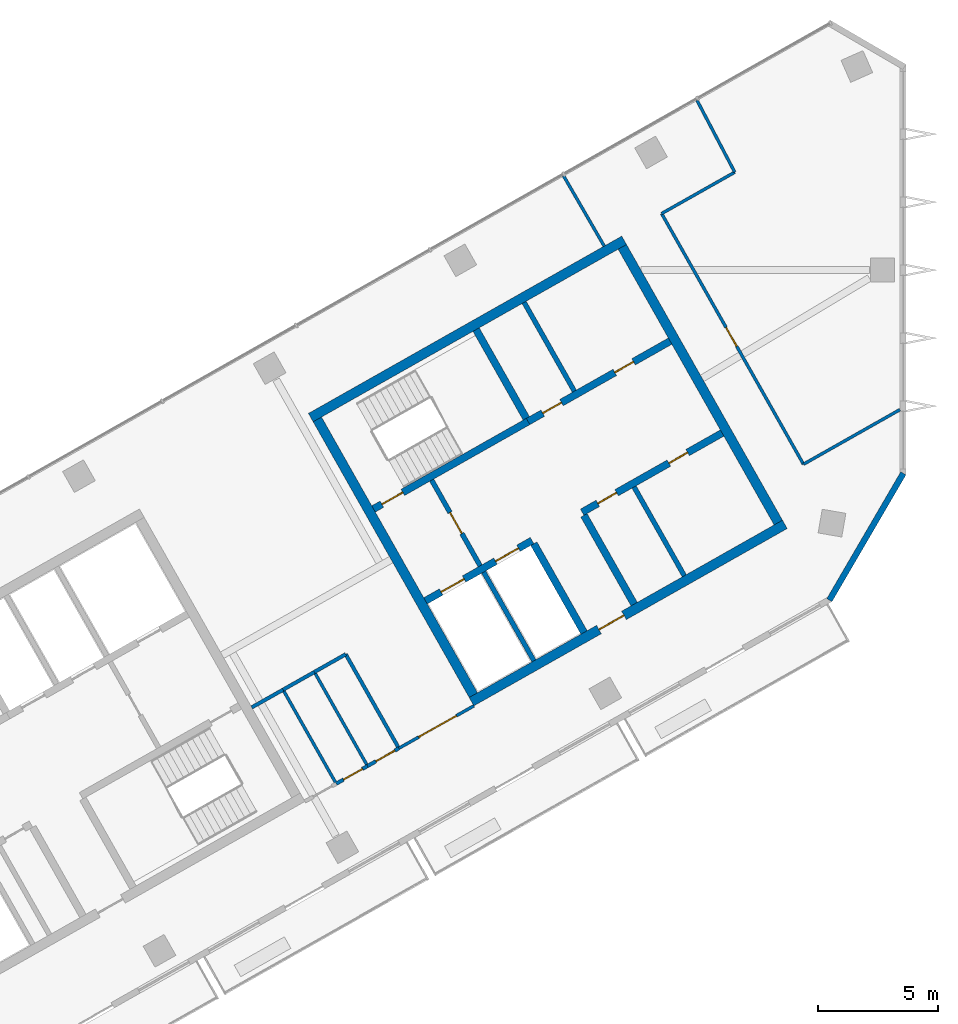
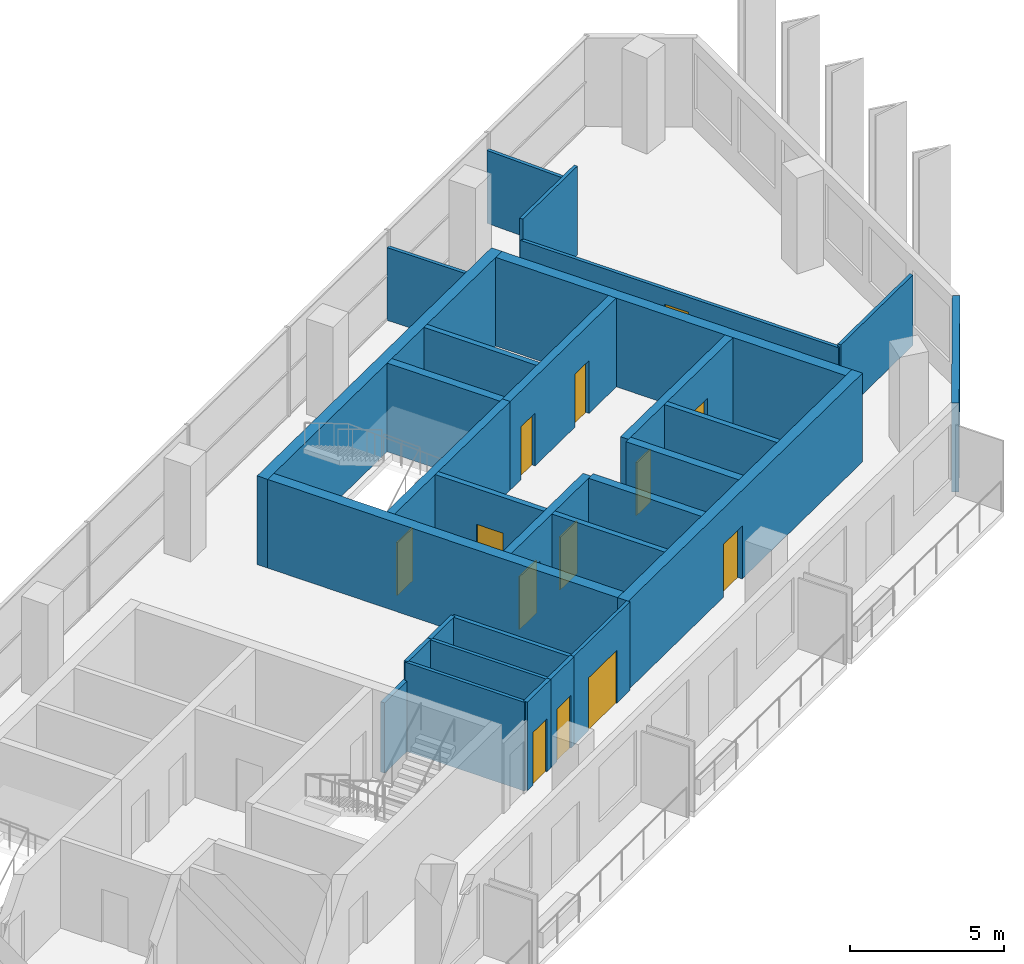
# One storey, part 7 of 10: 30 walls, 13 doors, 13 openings.
"""IFC4 building model written with IfcOpenShell, lengths in metres."""

from ifc_helpers import new_model, si_unit, direction, frame, frame_2d, origin, place, context, subcontext, project, spatial, rectangle, extrude, material, layer, layer_set, type_object, element, fill, save


model = new_model("IFC4")

# Units and contexts
model_context = context("Model", 3, precision=1e-05, world=origin(), true_north=direction((0.0, 1.0)))
body_context = subcontext(model_context, "Body", "Model", "MODEL_VIEW")
ifc_project = project(units=[si_unit("LENGTHUNIT", "METRE"), si_unit("AREAUNIT", "SQUARE_METRE"), si_unit("VOLUMEUNIT", "CUBIC_METRE"), si_unit("PLANEANGLEUNIT", "RADIAN"), si_unit("MASSUNIT", "GRAM", prefix="KILO")], contexts=[model_context])

# Site, building, storey
site_placement = place(None, origin())
site = spatial("IfcSite", under=ifc_project, at=site_placement, CompositionType="ELEMENT")
building_placement = place(site_placement, origin())
building = spatial("IfcBuilding", under=site, at=building_placement, Name="Binnacle Exchange Tower", CompositionType="ELEMENT")
storey_placement = place(building_placement, frame((0.0, 0.0, 316.5)))
storey = spatial("IfcBuildingStorey", under=building, at=storey_placement, Name="L71", CompositionType="ELEMENT", Elevation=316.5)

# Walls
ifc_material_1 = material(Name="Gypsum partition fire rated")
ifc_layer_1 = layer(ifc_material_1, 0.199951171875)
ifc_layer_set_1 = layer_set([ifc_layer_1], Name="Core partition 200")
wall_type_1 = type_object("IfcWallType", Name="Core partition 200", PredefinedType="PARTITIONING", material=ifc_layer_set_1)
for number, where, z_axis, x_axis, name in (
    (1, (-15.783203125, 58.653564453125, 0.0), (0.0, 0.0, 1.0), (0.492441437811, -0.870345580977, 0.0), "Core wall CRWC17"),
    (2, (-11.201904296875, 50.96240234375, 0.0), (0.0, 0.0, 1.0), (0.492441437811, -0.870345580977, 0.0), "Core wall CRWC19"),
):
    element("IfcWall", number, at=place(storey_placement, frame(where, z_axis=z_axis, x_axis=x_axis)), inside=storey, type_object=wall_type_1, Name=name, PredefinedType="PARTITIONING", context=body_context, shape_type="SweptSolid", body=[
        extrude(rectangle(XDim=4.250244140625, YDim=0.199951171875, at=frame_2d((2.125, 0.0))), origin(), (0.0, 0.0, 1.0), 3.52001953125),
    ])

# Wall, openings, doors
ifc_material_2 = material(Name="Concrete C70/85", Category="concrete")
ifc_layer_2 = layer(ifc_material_2, 0.300048828125)
ifc_layer_set_2 = layer_set([ifc_layer_2], Name="Core wall - front 300")
wall_type_2 = type_object("IfcWallType", Name="Core wall - front 300", PredefinedType="SOLIDWALL", material=ifc_layer_set_2)
wall_1_placement = place(storey_placement, frame((-19.89208984375, 46.2177734375, 0.0), z_axis=(0.0, 0.0, 1.0), x_axis=(0.870341639186, 0.492448404505, 0.0)))
wall_1 = element("IfcWall", 3, at=wall_1_placement, inside=storey, type_object=wall_type_2, Name="Core wall CRWC2", PredefinedType="SOLIDWALL", context=body_context, shape_type="SweptSolid", body=[
    extrude(rectangle(XDim=5.099853515625, YDim=0.300048828125, at=frame_2d((2.5498046875, 0.0))), origin(), (0.0, 0.0, 1.0), 3.52001953125),
])
opening_1_placement = place(wall_1_placement, frame((0.75, 0.0, 0.0)))
opening_1 = element("IfcOpeningElement", 4, at=opening_1_placement, cuts=wall_1, Name="Opening LD14", PredefinedType="OPENING", context=body_context, shape_type="SweptSolid", body=[
    extrude(rectangle(XDim=1.10009765625, YDim=2.10009765625, at=frame_2d((0.550048828125, 1.050048828125))), frame((0.0, 0.159912109375, 0.0), z_axis=(0.0, -1.0, 0.0), x_axis=(1.0, 0.0, 0.0)), (0.0, 0.0, 1.0), 0.320068359375),
])
opening_2_placement = place(wall_1_placement, frame((3.35009765625, 0.0, 0.0)))
opening_2 = element("IfcOpeningElement", 5, at=opening_2_placement, cuts=wall_1, Name="Opening LD11", PredefinedType="OPENING", context=body_context, shape_type="SweptSolid", body=[
    extrude(rectangle(XDim=1.10009765625, YDim=2.10009765625, at=frame_2d((0.550048828125, 1.050048828125))), frame((0.0, 0.159912109375, 0.0), z_axis=(0.0, -1.0, 0.0), x_axis=(1.0, 0.0, 0.0)), (0.0, 0.0, 1.0), 0.320068359375),
])
ifc_material_3 = material(Name="Steel door leaf", Category="steel")
door_type_1 = type_object("IfcDoorType", Name="Fire door - lift landing 1100", OperationType="NOTDEFINED", PredefinedType="DOOR", material=ifc_material_3)
door_1_placement = place(opening_1_placement, origin())
door_1 = element("IfcDoor", 6, at=door_1_placement, inside=storey, type_object=door_type_1, Name="Landing door LD14 L71", OperationType="DOUBLE_DOOR_SLIDING", OverallHeight=2.10009765625, OverallWidth=1.10009765625, PredefinedType="DOOR", context=body_context, shape_type="SweptSolid", body=[
    extrude(rectangle(XDim=1.10009765625, YDim=2.10009765625, at=frame_2d((0.550048828125, 1.050048828125))), frame((0.0, 0.02490234375, 0.0), z_axis=(0.0, -1.0, 0.0), x_axis=(1.0, 0.0, 0.0)), (0.0, 0.0, 1.0), 0.050048828125),
])
fill(opening_1, door_1)
door_2_placement = place(opening_2_placement, origin())
door_2 = element("IfcDoor", 7, at=door_2_placement, inside=storey, type_object=door_type_1, Name="Landing door LD11 L71", OperationType="DOUBLE_DOOR_SLIDING", OverallHeight=2.10009765625, OverallWidth=1.10009765625, PredefinedType="DOOR", context=body_context, shape_type="SweptSolid", body=[
    extrude(rectangle(XDim=1.10009765625, YDim=2.10009765625, at=frame_2d((0.550048828125, 1.050048828125))), frame((0.0, 0.02490234375, 0.0), z_axis=(0.0, -1.0, 0.0), x_axis=(1.0, 0.0, 0.0)), (0.0, 0.0, 1.0), 0.050048828125),
])
fill(opening_2, door_2)

wall_2_placement = place(storey_placement, frame((-13.364501953125, 49.910888671875, 0.0), z_axis=(0.0, 0.0, 1.0), x_axis=(0.870347618718, 0.492437836272, 0.0)))
wall_2 = element("IfcWall", 8, at=wall_2_placement, inside=storey, type_object=wall_type_2, Name="Core wall CRWC3", PredefinedType="SOLIDWALL", context=body_context, shape_type="SweptSolid", body=[
    extrude(rectangle(XDim=6.699951171875, YDim=0.300048828125, at=frame_2d((3.35009765625, 0.0))), origin(), (0.0, 0.0, 1.0), 3.52001953125),
])
opening_3_placement = place(wall_2_placement, frame((0.75, 0.0, 0.0)))
opening_3 = element("IfcOpeningElement", 9, at=opening_3_placement, cuts=wall_2, Name="Opening DC18", PredefinedType="OPENING", context=body_context, shape_type="SweptSolid", body=[
    extrude(rectangle(XDim=0.89990234375, YDim=2.10009765625, at=frame_2d((0.449951171875, 1.050048828125))), frame((0.0, 0.159912109375, 0.0), z_axis=(0.0, -1.0, 0.0), x_axis=(1.0, 0.0, 0.0)), (0.0, 0.0, 1.0), 0.320068359375),
])
opening_4_placement = place(wall_2_placement, frame((4.14990234375, 0.0, 0.0)))
opening_4 = element("IfcOpeningElement", 10, at=opening_4_placement, cuts=wall_2, Name="Opening DC19", PredefinedType="OPENING", context=body_context, shape_type="SweptSolid", body=[
    extrude(rectangle(XDim=0.89990234375, YDim=2.10009765625, at=frame_2d((0.449951171875, 1.050048828125))), frame((0.0, 0.159912109375, 0.0), z_axis=(0.0, -1.0, 0.0), x_axis=(1.0, 0.0, 0.0)), (0.0, 0.0, 1.0), 0.320068359375),
])
door_type_2 = type_object("IfcDoorType", Name="Fire door 900", OperationType="NOTDEFINED", PredefinedType="DOOR", material=ifc_material_3)
door_3_placement = place(opening_3_placement, frame((0.89990234375, 0.0, 0.0), z_axis=(0.0, 0.0, 1.0), x_axis=(-1.0, 0.0, 0.0)))
door_3 = element("IfcDoor", 11, at=door_3_placement, inside=storey, type_object=door_type_2, Name="Core room door IT STORE", OperationType="SINGLE_SWING_RIGHT", OverallHeight=2.10009765625, OverallWidth=0.89990234375, PredefinedType="DOOR", context=body_context, shape_type="SweptSolid", body=[
    extrude(rectangle(XDim=0.89990234375, YDim=2.10009765625, at=frame_2d((0.449951171875, 1.050048828125))), frame((0.0, 0.02490234375, 0.0), z_axis=(0.0, -1.0, 0.0), x_axis=(1.0, 0.0, 0.0)), (0.0, 0.0, 1.0), 0.050048828125),
])
fill(opening_3, door_3)
door_4_placement = place(opening_4_placement, frame((0.89990234375, 0.0, 0.0), z_axis=(0.0, 0.0, 1.0), x_axis=(-1.0, 0.0, 0.0)))
door_4 = element("IfcDoor", 12, at=door_4_placement, inside=storey, type_object=door_type_2, Name="Core room door TELECOM RISER ROOM", OperationType="SINGLE_SWING_LEFT", OverallHeight=2.10009765625, OverallWidth=0.89990234375, PredefinedType="DOOR", context=body_context, shape_type="SweptSolid", body=[
    extrude(rectangle(XDim=0.89990234375, YDim=2.10009765625, at=frame_2d((0.449951171875, 1.050048828125))), frame((0.0, 0.02490234375, 0.0), z_axis=(0.0, -1.0, 0.0), x_axis=(1.0, 0.0, 0.0)), (0.0, 0.0, 1.0), 0.050048828125),
])
fill(opening_4, door_4)

wall_3_placement = place(storey_placement, frame((-15.6181640625, 53.69140625, 0.0), z_axis=(0.0, 0.0, 1.0), x_axis=(0.870362830851, 0.492410948978, 0.0)))
wall_3 = element("IfcWall", 13, at=wall_3_placement, inside=storey, type_object=wall_type_2, Name="Core wall CRWC5", PredefinedType="SOLIDWALL", context=body_context, shape_type="SweptSolid", body=[
    extrude(rectangle(XDim=6.800048828125, YDim=0.300048828125, at=frame_2d((3.39990234375, 0.0))), origin(), (0.0, 0.0, 1.0), 3.52001953125),
])
opening_5_placement = place(wall_3_placement, frame((0.699951171875, 0.0, 0.0)))
opening_5 = element("IfcOpeningElement", 14, at=opening_5_placement, cuts=wall_3, Name="Opening DC10", PredefinedType="OPENING", context=body_context, shape_type="SweptSolid", body=[
    extrude(rectangle(XDim=0.89990234375, YDim=2.10009765625, at=frame_2d((0.449951171875, 1.050048828125))), frame((0.0, 0.159912109375, 0.0), z_axis=(0.0, -1.0, 0.0), x_axis=(1.0, 0.0, 0.0)), (0.0, 0.0, 1.0), 0.320068359375),
])
opening_6_placement = place(wall_3_placement, frame((4.14990234375, 0.0, 0.0)))
opening_6 = element("IfcOpeningElement", 15, at=opening_6_placement, cuts=wall_3, Name="Opening DC11", PredefinedType="OPENING", context=body_context, shape_type="SweptSolid", body=[
    extrude(rectangle(XDim=0.89990234375, YDim=2.10009765625, at=frame_2d((0.449951171875, 1.050048828125))), frame((0.0, 0.159912109375, 0.0), z_axis=(0.0, -1.0, 0.0), x_axis=(1.0, 0.0, 0.0)), (0.0, 0.0, 1.0), 0.320068359375),
])
door_5_placement = place(opening_5_placement, origin())
door_5 = element("IfcDoor", 16, at=door_5_placement, inside=storey, type_object=door_type_2, Name="Core room door COMMS RISER ROOM", OperationType="SINGLE_SWING_LEFT", OverallHeight=2.10009765625, OverallWidth=0.89990234375, PredefinedType="DOOR", context=body_context, shape_type="SweptSolid", body=[
    extrude(rectangle(XDim=0.89990234375, YDim=2.10009765625, at=frame_2d((0.449951171875, 1.050048828125))), frame((0.0, 0.02490234375, 0.0), z_axis=(0.0, -1.0, 0.0), x_axis=(1.0, 0.0, 0.0)), (0.0, 0.0, 1.0), 0.050048828125),
])
fill(opening_5, door_5)
door_6_placement = place(opening_6_placement, origin())
door_6 = element("IfcDoor", 17, at=door_6_placement, inside=storey, type_object=door_type_2, Name="Core room door PANTRY", OperationType="SINGLE_SWING_RIGHT", OverallHeight=2.10009765625, OverallWidth=0.89990234375, PredefinedType="DOOR", context=body_context, shape_type="SweptSolid", body=[
    extrude(rectangle(XDim=0.89990234375, YDim=2.10009765625, at=frame_2d((0.449951171875, 1.050048828125))), frame((0.0, 0.02490234375, 0.0), z_axis=(0.0, -1.0, 0.0), x_axis=(1.0, 0.0, 0.0)), (0.0, 0.0, 1.0), 0.050048828125),
])
fill(opening_6, door_6)

# Walls
wall_4_placement = place(storey_placement, frame((-15.37939453125, 48.5986328125, 0.0), z_axis=(0.0, 0.0, 1.0), x_axis=(0.492422543467, -0.870356271124, 0.0)))
element("IfcWall", 18, at=wall_4_placement, inside=storey, type_object=wall_type_2, Name="Core wall CRWC13", PredefinedType="SOLIDWALL", context=body_context, shape_type="SweptSolid", body=[
    extrude(rectangle(XDim=4.25, YDim=0.300048828125, at=frame_2d((2.125, 0.0))), origin(), (0.0, 0.0, 1.0), 3.52001953125),
])
wall_5_placement = place(storey_placement, frame((-13.29052734375, 49.780517578125, 0.0), z_axis=(0.0, 0.0, 1.0), x_axis=(0.492397924348, -0.870370199454, 0.0)))
element("IfcWall", 19, at=wall_5_placement, inside=storey, type_object=wall_type_2, Name="Core wall CRWC15", PredefinedType="SOLIDWALL", context=body_context, shape_type="SweptSolid", body=[
    extrude(rectangle(XDim=4.250244140625, YDim=0.300048828125, at=frame_2d((2.125, 0.0))), origin(), (0.0, 0.0, 1.0), 3.52001953125),
])

# Wall, opening, door
ifc_layer_3 = layer(ifc_material_2, 0.39990234375)
ifc_layer_set_3 = layer_set([ifc_layer_3], Name="Core wall - outer 400")
wall_type_3 = type_object("IfcWallType", Name="Core wall - outer 400", PredefinedType="SOLIDWALL", material=ifc_layer_set_3)
wall_6_placement = place(storey_placement, frame((-17.97509765625, 42.01708984375, 0.0), z_axis=(0.0, 0.0, 1.0), x_axis=(0.87034965173, 0.492434243055, 0.0)))
wall_6 = element("IfcWall", 20, at=wall_6_placement, inside=storey, type_object=wall_type_3, Name="Core wall CRWC1", PredefinedType="SOLIDWALL", context=body_context, shape_type="SweptSolid", body=[
    extrude(rectangle(XDim=15.0, YDim=0.39990234375, at=frame_2d((7.5, 0.0))), origin(), (0.0, 0.0, 1.0), 3.52001953125),
])
opening_7_placement = place(wall_6_placement, frame((6.10009765625, 0.0, 0.0)))
opening_7 = element("IfcOpeningElement", 21, at=opening_7_placement, cuts=wall_6, Name="Opening DC7", PredefinedType="OPENING", context=body_context, shape_type="SweptSolid", body=[
    extrude(rectangle(XDim=1.199951171875, YDim=2.10009765625, at=frame_2d((0.60009765625, 1.050048828125))), frame((0.0, 0.2099609375, 0.0), z_axis=(0.0, -1.0, 0.0), x_axis=(1.0, 0.0, 0.0)), (0.0, 0.0, 1.0), 0.419921875),
])
door_type_3 = type_object("IfcDoorType", Name="Fire door 1200", OperationType="NOTDEFINED", PredefinedType="DOOR", material=ifc_material_3)
door_7_placement = place(opening_7_placement, frame((1.199951171875, 0.0, 0.0), z_axis=(0.0, 0.0, 1.0), x_axis=(-1.0, 0.0, 0.0)))
door_7 = element("IfcDoor", 22, at=door_7_placement, inside=storey, type_object=door_type_3, Name="Lift lobby entrance door core C", OperationType="SINGLE_SWING_RIGHT", OverallHeight=2.10009765625, OverallWidth=1.199951171875, PredefinedType="DOOR", context=body_context, shape_type="SweptSolid", body=[
    extrude(rectangle(XDim=1.199951171875, YDim=2.10009765625, at=frame_2d((0.60009765625, 1.050048828125))), frame((0.0, 0.02490234375, 0.0), z_axis=(0.0, -1.0, 0.0), x_axis=(1.0, 0.0, 0.0)), (0.0, 0.0, 1.0), 0.050048828125),
])
fill(opening_7, door_7)

# Walls
wall_7_placement = place(storey_placement, frame((-24.672119140625, 53.85400390625, 0.0), z_axis=(0.0, 0.0, 1.0), x_axis=(0.870353598469, 0.492427267353, 0.0)))
element("IfcWall", 23, at=wall_7_placement, inside=storey, type_object=wall_type_3, Name="Core wall CRWC6", PredefinedType="SOLIDWALL", context=body_context, shape_type="SweptSolid", body=[
    extrude(rectangle(XDim=15.000244140625, YDim=0.39990234375, at=frame_2d((7.5, 0.0))), origin(), (0.0, 0.0, 1.0), 3.52001953125),
])
for number, where, z_axis, x_axis, name in (
    (24, (-24.399658203125, 53.778564453125, 0.0), (0.0, 0.0, 1.0), (0.492421663121, -0.870356769198, 0.0), "Core wall CRWC7"),
    (25, (-11.6923828125, 60.968017578125, 0.0), (0.0, 0.0, 1.0), (0.492421663121, -0.870356769198, 0.0), "Core wall CRWC24"),
):
    element("IfcWall", number, at=place(storey_placement, frame(where, z_axis=z_axis, x_axis=x_axis)), inside=storey, type_object=wall_type_3, Name=name, PredefinedType="SOLIDWALL", context=body_context, shape_type="SweptSolid", body=[
        extrude(rectangle(XDim=13.199951171875, YDim=0.39990234375, at=frame_2d((6.60009765625, 0.0))), origin(), (0.0, 0.0, 1.0), 3.52001953125),
    ])

# Wall, opening, door
ifc_layer_4 = layer(ifc_material_2, 0.300048828125)
ifc_layer_set_4 = layer_set([ifc_layer_4], Name="Core wall - stair 300")
wall_type_4 = type_object("IfcWallType", Name="Core wall - stair 300", PredefinedType="SOLIDWALL", material=ifc_layer_set_4)
wall_8_placement = place(storey_placement, frame((-22.058837890625, 50.04736328125, 0.0), z_axis=(0.0, 0.0, 1.0), x_axis=(0.87035077051, 0.49243226567, 0.0)))
wall_8 = element("IfcWall", 26, at=wall_8_placement, inside=storey, type_object=wall_type_4, Name="Core wall CRWC4", PredefinedType="SOLIDWALL", context=body_context, shape_type="SweptSolid", body=[
    extrude(rectangle(XDim=7.400146484375, YDim=0.300048828125, at=frame_2d((3.7001953125, 0.0))), origin(), (0.0, 0.0, 1.0), 3.52001953125),
])
opening_8_placement = place(wall_8_placement, frame((0.39990234375, 0.0, 0.0)))
opening_8 = element("IfcOpeningElement", 27, at=opening_8_placement, cuts=wall_8, Name="Opening DC1", PredefinedType="OPENING", context=body_context, shape_type="SweptSolid", body=[
    extrude(rectangle(XDim=1.0, YDim=2.10009765625, at=frame_2d((0.5, 1.050048828125))), frame((0.0, 0.159912109375, 0.0), z_axis=(0.0, -1.0, 0.0), x_axis=(1.0, 0.0, 0.0)), (0.0, 0.0, 1.0), 0.320068359375),
])
door_type_4 = type_object("IfcDoorType", Name="Fire door 1000", OperationType="NOTDEFINED", PredefinedType="DOOR", material=ifc_material_3)
door_8_placement = place(opening_8_placement, origin())
door_8 = element("IfcDoor", 28, at=door_8_placement, inside=storey, type_object=door_type_4, Name="Stair door ST-C1", OperationType="SINGLE_SWING_LEFT", OverallHeight=2.10009765625, OverallWidth=1.0, PredefinedType="DOOR", context=body_context, shape_type="SweptSolid", body=[
    extrude(rectangle(XDim=1.0, YDim=2.10009765625, at=frame_2d((0.5, 1.050048828125))), frame((0.0, 0.02490234375, 0.0), z_axis=(0.0, -1.0, 0.0), x_axis=(1.0, 0.0, 0.0)), (0.0, 0.0, 1.0), 0.050048828125),
])
fill(opening_8, door_8)

# Walls
wall_9_placement = place(storey_placement, frame((-17.784912109375, 57.52099609375, 0.0), z_axis=(0.0, 0.0, 1.0), x_axis=(0.492422543467, -0.870356271124, 0.0)))
element("IfcWall", 29, at=wall_9_placement, inside=storey, type_object=wall_type_4, Name="Core wall CRWC14", PredefinedType="SOLIDWALL", context=body_context, shape_type="SweptSolid", body=[
    extrude(rectangle(XDim=4.25, YDim=0.300048828125, at=frame_2d((2.125, 0.0))), origin(), (0.0, 0.0, 1.0), 3.52001953125),
])
ifc_material_4 = material(Name="Bronze aluminium cladding", Category="aluminium")
ifc_layer_5 = layer(ifc_material_4, 0.25)
ifc_layer_set_5 = layer_set([ifc_layer_5], Name="External wall - window wall 250")
wall_type_5 = type_object("IfcWallType", Name="External wall - window wall 250", PredefinedType="STANDARD", material=ifc_layer_set_5)
wall_10_placement = place(storey_placement, frame((0.01708984375, 51.529296875, 0.0), z_axis=(0.0, 0.0, 1.0), x_axis=(-0.503769237131, -0.863838269424, 0.0)))
element("IfcWall", 30, at=wall_10_placement, inside=storey, type_object=wall_type_5, Name="External wall EW-H00 L71", PredefinedType="STANDARD", context=body_context, shape_type="SweptSolid", body=[
    extrude(rectangle(XDim=6.114501953125, YDim=0.25, at=frame_2d((3.05712890625, 0.0))), origin(), (0.0, 0.0, 1.0), 3.52001953125),
])

# Wall, opening, door
ifc_material_5 = material(Name="Masonry block wall", Category="masonry")
ifc_layer_6 = layer(ifc_material_5, 0.199951171875)
ifc_layer_set_6 = layer_set([ifc_layer_6], Name="Fire wall - vestibule 200")
wall_type_6 = type_object("IfcWallType", Name="Fire wall - vestibule 200", PredefinedType="PARTITIONING", material=ifc_layer_set_6)
wall_11_placement = place(storey_placement, frame((-19.635009765625, 51.246337890625, 0.0), z_axis=(0.0, 0.0, 1.0), x_axis=(0.492408451753, -0.87036424366, 0.0)))
wall_11 = element("IfcWall", 31, at=wall_11_placement, inside=storey, type_object=wall_type_6, Name="Core wall CRWC10", PredefinedType="PARTITIONING", context=body_context, shape_type="SweptSolid", body=[
    extrude(rectangle(XDim=4.099853515625, YDim=0.199951171875, at=frame_2d((2.0498046875, 0.0))), origin(), (0.0, 0.0, 1.0), 3.52001953125),
])
opening_9_placement = place(wall_11_placement, frame((1.550048828125, 0.0, 0.0)))
opening_9 = element("IfcOpeningElement", 32, at=opening_9_placement, cuts=wall_11, Name="Opening DC3", PredefinedType="OPENING", context=body_context, shape_type="SweptSolid", body=[
    extrude(rectangle(XDim=1.0, YDim=2.10009765625, at=frame_2d((0.5, 1.050048828125))), frame((0.0, 0.10986328125, 0.0), z_axis=(0.0, -1.0, 0.0), x_axis=(1.0, 0.0, 0.0)), (0.0, 0.0, 1.0), 0.219970703125),
])
door_9_placement = place(opening_9_placement, frame((1.0, 0.0, 0.0), z_axis=(0.0, 0.0, 1.0), x_axis=(-1.0, 0.0, 0.0)))
door_9 = element("IfcDoor", 33, at=door_9_placement, inside=storey, type_object=door_type_4, Name="Vestibule door VEST-W", OperationType="SINGLE_SWING_RIGHT", OverallHeight=2.10009765625, OverallWidth=1.0, PredefinedType="DOOR", context=body_context, shape_type="SweptSolid", body=[
    extrude(rectangle(XDim=1.0, YDim=2.10009765625, at=frame_2d((0.5, 1.050048828125))), frame((0.0, 0.02490234375, 0.0), z_axis=(0.0, -1.0, 0.0), x_axis=(1.0, 0.0, 0.0)), (0.0, 0.0, 1.0), 0.050048828125),
])
fill(opening_9, door_9)

# Walls
ifc_layer_7 = layer(ifc_material_1, 0.14990234375)
ifc_layer_set_7 = layer_set([ifc_layer_7], Name="Fire-rated partition 150")
wall_type_7 = type_object("IfcWallType", Name="Fire-rated partition 150", PredefinedType="PARTITIONING", material=ifc_layer_set_7)
wall_12_placement = place(storey_placement, frame((-27.134033203125, 41.77587890625, 0.0), z_axis=(0.0, 0.0, 1.0), x_axis=(0.870429354291, 0.492293346683, 0.0)))
element("IfcWall", 34, at=wall_12_placement, inside=storey, type_object=wall_type_7, Name="Partition W03", PredefinedType="PARTITIONING", context=body_context, shape_type="SweptSolid", body=[
    extrude(rectangle(XDim=1.499267578125, YDim=0.14990234375, at=frame_2d((0.74951171875, 0.0))), origin(), (0.0, 0.0, 1.0), 2.7919921875),
])
wall_13_placement = place(storey_placement, frame((-25.8291015625, 42.513916015625, 0.0), z_axis=(0.0, 0.0, 1.0), x_axis=(0.870347633314, 0.492437810475, 0.0)))
element("IfcWall", 35, at=wall_13_placement, inside=storey, type_object=wall_type_7, Name="Partition W04", PredefinedType="PARTITIONING", context=body_context, shape_type="SweptSolid", body=[
    extrude(rectangle(XDim=1.500732421875, YDim=0.14990234375, at=frame_2d((0.75048828125, 0.0))), origin(), (0.0, 0.0, 1.0), 3.52001953125),
])
wall_14_placement = place(storey_placement, frame((-24.52294921875, 43.2529296875, 0.0), z_axis=(0.0, 0.0, 1.0), x_axis=(0.870150176056, 0.492786638526, 0.0)))
element("IfcWall", 36, at=wall_14_placement, inside=storey, type_object=wall_type_7, Name="Partition W07", PredefinedType="PARTITIONING", context=body_context, shape_type="SweptSolid", body=[
    extrude(rectangle(XDim=1.499755859375, YDim=0.14990234375, at=frame_2d((0.75, 0.0))), origin(), (0.0, 0.0, 1.0), 3.52001953125),
])

# Wall, opening, door
wall_15_placement = place(storey_placement, frame((-23.613037109375, 38.597900390625, 0.0), z_axis=(0.0, 0.0, 1.0), x_axis=(0.870429354291, 0.492293346683, 0.0)))
wall_15 = element("IfcWall", 37, at=wall_15_placement, inside=storey, type_object=wall_type_7, Name="Partition W09", PredefinedType="PARTITIONING", context=body_context, shape_type="SweptSolid", body=[
    extrude(rectangle(XDim=1.499267578125, YDim=0.14990234375, at=frame_2d((0.74951171875, 0.0))), origin(), (0.0, 0.0, 1.0), 3.52001953125),
])
opening_10_placement = place(wall_15_placement, frame((0.35009765625, 0.0, 0.0)))
opening_10 = element("IfcOpeningElement", 38, at=opening_10_placement, cuts=wall_15, Name="Opening DL71-03", PredefinedType="OPENING", context=body_context, shape_type="SweptSolid", body=[
    extrude(rectangle(XDim=0.89990234375, YDim=2.10009765625, at=frame_2d((0.449951171875, 1.050048828125))), frame((0.0, 0.0849609375, 0.0), z_axis=(0.0, -1.0, 0.0), x_axis=(1.0, 0.0, 0.0)), (0.0, 0.0, 1.0), 0.169921875),
])
door_10_placement = place(opening_10_placement, origin())
door_10 = element("IfcDoor", 39, at=door_10_placement, inside=storey, type_object=door_type_2, Name="Door DL71-03", OperationType="SINGLE_SWING_RIGHT", OverallHeight=2.10009765625, OverallWidth=0.89990234375, PredefinedType="DOOR", context=body_context, shape_type="SweptSolid", body=[
    extrude(rectangle(XDim=0.89990234375, YDim=2.10009765625, at=frame_2d((0.449951171875, 1.050048828125))), frame((0.0, 0.02490234375, 0.0), z_axis=(0.0, -1.0, 0.0), x_axis=(1.0, 0.0, 0.0)), (0.0, 0.0, 1.0), 0.050048828125),
])
fill(opening_10, door_10)

# Wall
wall_16_placement = place(storey_placement, frame((-23.218017578125, 43.991943359375, 0.0), z_axis=(0.0, 0.0, 1.0), x_axis=(0.492412939134, -0.87036170491, 0.0)))
element("IfcWall", 40, at=wall_16_placement, inside=storey, type_object=wall_type_7, Name="Partition W10", PredefinedType="PARTITIONING", context=body_context, shape_type="SweptSolid", body=[
    extrude(rectangle(XDim=4.50048828125, YDim=0.14990234375, at=frame_2d((2.250244140625, 0.0))), origin(), (0.0, 0.0, 1.0), 3.52001953125),
])

# Wall, opening, door
wall_17_placement = place(storey_placement, frame((-22.30810546875, 39.3359375, 0.0), z_axis=(0.0, 0.0, 1.0), x_axis=(0.870347633314, 0.492437810475, 0.0)))
wall_17 = element("IfcWall", 41, at=wall_17_placement, inside=storey, type_object=wall_type_7, Name="Partition W11", PredefinedType="PARTITIONING", context=body_context, shape_type="SweptSolid", body=[
    extrude(rectangle(XDim=1.500732421875, YDim=0.14990234375, at=frame_2d((0.75048828125, 0.0))), origin(), (0.0, 0.0, 1.0), 3.52001953125),
])
opening_11_placement = place(wall_17_placement, frame((0.39990234375, 0.0, 0.0)))
opening_11 = element("IfcOpeningElement", 42, at=opening_11_placement, cuts=wall_17, Name="Opening DL71-04", PredefinedType="OPENING", context=body_context, shape_type="SweptSolid", body=[
    extrude(rectangle(XDim=0.89990234375, YDim=2.10009765625, at=frame_2d((0.449951171875, 1.050048828125))), frame((0.0, 0.0849609375, 0.0), z_axis=(0.0, -1.0, 0.0), x_axis=(1.0, 0.0, 0.0)), (0.0, 0.0, 1.0), 0.169921875),
])
door_11_placement = place(opening_11_placement, origin())
door_11 = element("IfcDoor", 43, at=door_11_placement, inside=storey, type_object=door_type_2, Name="Door DL71-04", OperationType="SINGLE_SWING_RIGHT", OverallHeight=2.10009765625, OverallWidth=0.89990234375, PredefinedType="DOOR", context=body_context, shape_type="SweptSolid", body=[
    extrude(rectangle(XDim=0.89990234375, YDim=2.10009765625, at=frame_2d((0.449951171875, 1.050048828125))), frame((0.0, 0.02490234375, 0.0), z_axis=(0.0, -1.0, 0.0), x_axis=(1.0, 0.0, 0.0)), (0.0, 0.0, 1.0), 0.050048828125),
])
fill(opening_11, door_11)

# Walls
ifc_material_6 = material(Name="Gypsum partition")
ifc_layer_8 = layer(ifc_material_6, 0.125)
ifc_layer_set_8 = layer_set([ifc_layer_8], Name="Partition 125")
wall_type_8 = type_object("IfcWallType", Name="Partition 125", PredefinedType="PARTITIONING", material=ifc_layer_set_8)
wall_18_placement = place(storey_placement, frame((-25.8291015625, 42.513916015625, 0.0), z_axis=(0.0, 0.0, 1.0), x_axis=(0.492505952474, -0.870309075431, 0.0)))
element("IfcWall", 44, at=wall_18_placement, inside=storey, type_object=wall_type_8, Name="Partition W05", PredefinedType="PARTITIONING", context=body_context, shape_type="SweptSolid", body=[
    extrude(rectangle(XDim=4.49951171875, YDim=0.125, at=frame_2d((2.249755859375, 0.0))), origin(), (0.0, 0.0, 1.0), 3.52001953125),
])
wall_19_placement = place(storey_placement, frame((-24.52294921875, 43.2529296875, 0.0), z_axis=(0.0, 0.0, 1.0), x_axis=(0.492207424062, -0.870477944406, 0.0)))
element("IfcWall", 45, at=wall_19_placement, inside=storey, type_object=wall_type_8, Name="Partition W08", PredefinedType="PARTITIONING", context=body_context, shape_type="SweptSolid", body=[
    extrude(rectangle(XDim=4.499755859375, YDim=0.125, at=frame_2d((2.25, 0.0))), origin(), (0.0, 0.0, 1.0), 3.52001953125),
])

# Wall, opening, door
wall_20_placement = place(storey_placement, frame((-21.001953125, 40.074951171875, 0.0), z_axis=(0.0, 0.0, 1.0), x_axis=(0.870352535776, 0.492429145632, 0.0)))
wall_20 = element("IfcWall", 46, at=wall_20_placement, inside=storey, type_object=wall_type_8, Name="Partition W12", PredefinedType="PARTITIONING", context=body_context, shape_type="SweptSolid", body=[
    extrude(rectangle(XDim=3.590576171875, YDim=0.125, at=frame_2d((1.79541015625, 0.0))), origin(), (0.0, 0.0, 1.0), 3.52001953125),
])
opening_12_placement = place(wall_20_placement, frame((0.949951171875, 0.0, 0.0)))
opening_12 = element("IfcOpeningElement", 47, at=opening_12_placement, cuts=wall_20, Name="Opening DL71-05", PredefinedType="OPENING", context=body_context, shape_type="SweptSolid", body=[
    extrude(rectangle(XDim=1.800048828125, YDim=2.10009765625, at=frame_2d((0.89990234375, 1.050048828125))), frame((0.0, 0.072509765625, 0.0), z_axis=(0.0, -1.0, 0.0), x_axis=(1.0, 0.0, 0.0)), (0.0, 0.0, 1.0), 0.14501953125),
])
ifc_material_7 = material(Name="Timber door leaf", Category="wood")
door_type_5 = type_object("IfcDoorType", Name="Double door 1800", OperationType="NOTDEFINED", PredefinedType="DOOR", material=ifc_material_7)
door_12_placement = place(opening_12_placement, origin())
door_12 = element("IfcDoor", 48, at=door_12_placement, inside=storey, type_object=door_type_5, Name="Door DL71-05", OperationType="DOUBLE_DOOR_SINGLE_SWING", OverallHeight=2.10009765625, OverallWidth=1.800048828125, PredefinedType="DOOR", context=body_context, shape_type="SweptSolid", body=[
    extrude(rectangle(XDim=1.800048828125, YDim=2.10009765625, at=frame_2d((0.89990234375, 1.050048828125))), frame((0.0, 0.02490234375, 0.0), z_axis=(0.0, -1.0, 0.0), x_axis=(1.0, 0.0, 0.0)), (0.0, 0.0, 1.0), 0.050048828125),
])
fill(opening_12, door_12)

# Walls
wall_21_placement = place(storey_placement, frame((-14.14111328125, 63.929931640625, 0.0), z_axis=(0.0, 0.0, 1.0), x_axis=(0.500677851844, -0.865633691969, 0.0)))
element("IfcWall", 49, at=wall_21_placement, inside=storey, type_object=wall_type_8, Name="Partition W13", PredefinedType="PARTITIONING", context=body_context, shape_type="SweptSolid", body=[
    extrude(rectangle(XDim=3.383544921875, YDim=0.125, at=frame_2d((1.69189453125, 0.0))), origin(), (0.0, 0.0, 1.0), 2.887939453125),
])
wall_22_placement = place(storey_placement, frame((-10.053955078125, 62.35498046875, 0.0), z_axis=(0.0, 0.0, 1.0), x_axis=(0.870470590541, 0.492220429283, 0.0)))
element("IfcWall", 50, at=wall_22_placement, inside=storey, type_object=wall_type_8, Name="Partition W14", PredefinedType="PARTITIONING", context=body_context, shape_type="SweptSolid", body=[
    extrude(rectangle(XDim=3.500244140625, YDim=0.125, at=frame_2d((1.75, 0.0))), origin(), (0.0, 0.0, 1.0), 3.52001953125),
])

# Wall, opening, door
wall_23_placement = place(storey_placement, frame((-10.053955078125, 62.35498046875, 0.0), z_axis=(0.0, 0.0, 1.0), x_axis=(0.49244734164, -0.870342240565, 0.0)))
wall_23 = element("IfcWall", 51, at=wall_23_placement, inside=storey, type_object=wall_type_8, Name="Partition W15", PredefinedType="PARTITIONING", context=body_context, shape_type="SweptSolid", body=[
    extrude(rectangle(XDim=12.001220703125, YDim=0.125, at=frame_2d((6.00048828125, 0.0))), origin(), (0.0, 0.0, 1.0), 2.699951171875),
])
opening_13_placement = place(wall_23_placement, frame((5.449951171875, 0.0, 0.0)))
opening_13 = element("IfcOpeningElement", 52, at=opening_13_placement, cuts=wall_23, Name="Opening DL71-06", PredefinedType="OPENING", context=body_context, shape_type="SweptSolid", body=[
    extrude(rectangle(XDim=0.89990234375, YDim=2.10009765625, at=frame_2d((0.449951171875, 1.050048828125))), frame((0.0, 0.072509765625, 0.0), z_axis=(0.0, -1.0, 0.0), x_axis=(1.0, 0.0, 0.0)), (0.0, 0.0, 1.0), 0.14501953125),
])
door_type_6 = type_object("IfcDoorType", Name="Door 900", OperationType="NOTDEFINED", PredefinedType="DOOR", material=ifc_material_7)
door_13_placement = place(opening_13_placement, origin())
door_13 = element("IfcDoor", 53, at=door_13_placement, inside=storey, type_object=door_type_6, Name="Door DL71-06", OperationType="SINGLE_SWING_LEFT", OverallHeight=2.10009765625, OverallWidth=0.89990234375, PredefinedType="DOOR", context=body_context, shape_type="SweptSolid", body=[
    extrude(rectangle(XDim=0.89990234375, YDim=2.10009765625, at=frame_2d((0.449951171875, 1.050048828125))), frame((0.0, 0.02490234375, 0.0), z_axis=(0.0, -1.0, 0.0), x_axis=(1.0, 0.0, 0.0)), (0.0, 0.0, 1.0), 0.050048828125),
])
fill(opening_13, door_13)

# Walls
wall_24_placement = place(storey_placement, frame((-8.5810546875, 67.075927734375, 0.0), z_axis=(0.0, 0.0, 1.0), x_axis=(0.46483389899, -0.885397902838, 0.0)))
element("IfcWall", 54, at=wall_24_placement, inside=storey, type_object=wall_type_8, Name="Partition W16", PredefinedType="PARTITIONING", context=body_context, shape_type="SweptSolid", body=[
    extrude(rectangle(XDim=3.385986328125, YDim=0.125, at=frame_2d((1.69287109375, 0.0))), origin(), (0.0, 0.0, 1.0), 2.887939453125),
])
wall_25_placement = place(storey_placement, frame((-4.14404296875, 51.909912109375, 0.0), z_axis=(0.0, 0.0, 1.0), x_axis=(0.870327404496, 0.49247356171, 0.0)))
element("IfcWall", 55, at=wall_25_placement, inside=storey, type_object=wall_type_8, Name="Partition W17", PredefinedType="PARTITIONING", context=body_context, shape_type="SweptSolid", body=[
    extrude(rectangle(XDim=4.617919921875, YDim=0.125, at=frame_2d((2.30908203125, 0.0))), origin(), (0.0, 0.0, 1.0), 2.800048828125),
])
ifc_layer_9 = layer(ifc_material_5, 0.199951171875)
ifc_layer_set_9 = layer_set([ifc_layer_9], Name="Shaft wall 200")
wall_type_9 = type_object("IfcWallType", Name="Shaft wall 200", PredefinedType="SOLIDWALL", material=ifc_layer_set_9)
wall_26_placement = place(storey_placement, frame((-17.468505859375, 47.416748046875, 0.0), z_axis=(0.0, 0.0, 1.0), x_axis=(0.492466057713, -0.870331650579, 0.0)))
element("IfcWall", 56, at=wall_26_placement, inside=storey, type_object=wall_type_9, Name="Core wall CRWC9", PredefinedType="SOLIDWALL", context=body_context, shape_type="SweptSolid", body=[
    extrude(rectangle(XDim=4.25, YDim=0.199951171875, at=frame_2d((2.125, 0.0))), origin(), (0.0, 0.0, 1.0), 3.52001953125),
])

save(model, "model.ifc")
